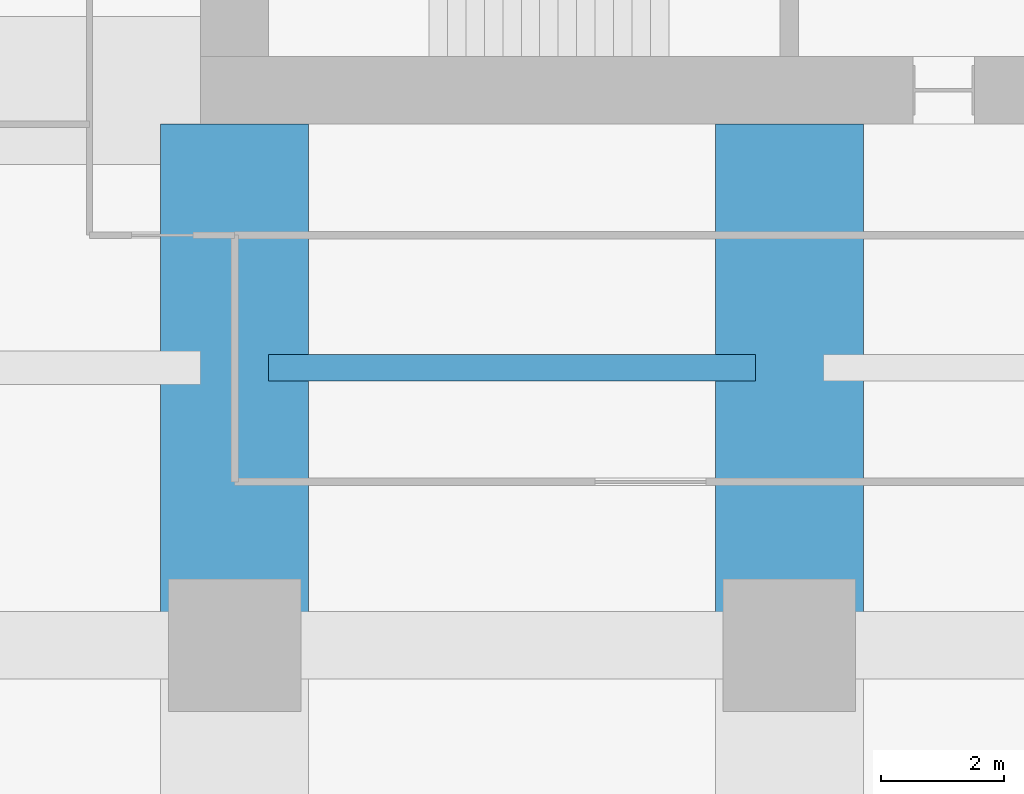
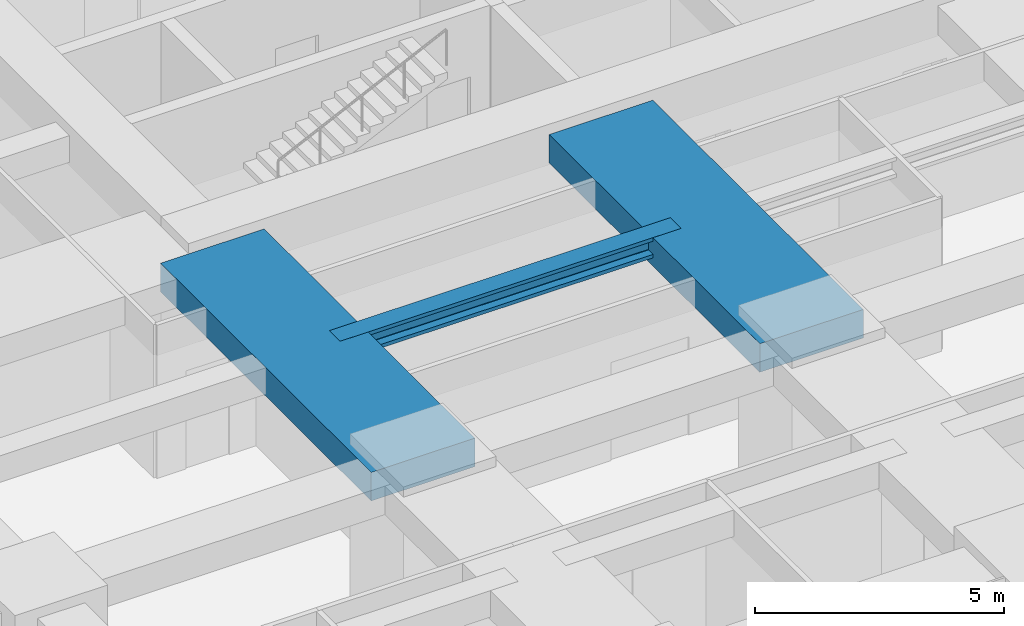
# One storey, part 7 of 45: 3 beams.
"""IFC4 building model written with IfcOpenShell, lengths in metres."""

from ifc_helpers import new_model, si_unit, direction, frame, origin, origin_2d, place, context, subcontext, project, spatial, rectangle, i_section, extrude, material, material_profile, profile_set, type_object, element, save


model = new_model("IFC4")

# Units and contexts
model_context = context("Model", 3, precision=1e-05, world=origin(), true_north=direction((0.0, 1.0)))
body_context = subcontext(model_context, "Body", "Model", "MODEL_VIEW")
ifc_project = project(units=[si_unit("LENGTHUNIT", "METRE"), si_unit("AREAUNIT", "SQUARE_METRE"), si_unit("VOLUMEUNIT", "CUBIC_METRE"), si_unit("PLANEANGLEUNIT", "RADIAN"), si_unit("MASSUNIT", "GRAM", prefix="KILO")], contexts=[model_context])

# Site, building, storey
site_placement = place(None, origin())
site = spatial("IfcSite", under=ifc_project, at=site_placement, CompositionType="ELEMENT")
building_placement = place(site_placement, origin())
building = spatial("IfcBuilding", under=site, at=building_placement, Name="Zorevar Civic Tower", CompositionType="ELEMENT")
storey_placement = place(building_placement, frame((0.0, 0.0, 71.800048828125)))
storey = spatial("IfcBuildingStorey", under=building, at=storey_placement, Name="L17", CompositionType="ELEMENT", Elevation=71.800048828125)

# Beams
ifc_material_1 = material(Name="Concrete C50/60", Category="concrete")
ifc_material_profile_1 = material_profile(ifc_material_1, rectangle(XDim=2.39990234375, YDim=0.699951171875, at=origin_2d()), Name="RC 2400x700")
ifc_profile_set_1 = profile_set([ifc_material_profile_1], Name="Concrete C50/60")
beam_type_1 = type_object("IfcBeamType", Name="Beam RC 2400x700", PredefinedType="BEAM", material=ifc_profile_set_1)
for number, where, z_axis, x_axis, name in (
    (1, (18.0, 9.0, 3.39990234375), (0.0, 1.0, 0.0), (-1.0, 0.0, 0.0), "Girder L18"),
    (2, (27.0, 9.0, 3.39990234375), (0.0, 1.0, 0.0), (-1.0, 0.0, 0.0), "Girder L18"),
):
    element("IfcBeam", number, at=place(storey_placement, frame(where, z_axis=z_axis, x_axis=x_axis)), inside=storey, type_object=beam_type_1, Name=name, PredefinedType="BEAM", context=body_context, shape_type="SweptSolid", body=[
        extrude(rectangle(XDim=2.39990234375, YDim=0.699951171875, at=origin_2d()), origin(), (0.0, 0.0, 1.0), 8.449951171875),
    ])
ifc_material_2 = material(Name="Steel S460M (HISTAR 460)", Category="steel")
ifc_material_profile_2 = material_profile(ifc_material_2, i_section(OverallWidth=0.431884765625, OverallDepth=0.498046875, WebThickness=0.0556640625, FlangeThickness=0.0888671875, FilletRadius=0.014892578125, at=origin_2d()), Name="HD 400x744")
ifc_profile_set_2 = profile_set([ifc_material_profile_2], Name="Steel S460M (HISTAR 460)")
beam_type_2 = type_object("IfcBeamType", Name="Core bay beam HD 400x744", PredefinedType="BEAM", material=ifc_profile_set_2)
beam_placement = place(storey_placement, frame((18.550048828125, 13.5, 3.5009765625), z_axis=(1.0, 0.0, 0.0), x_axis=(0.0, 1.0, 0.0)))
element("IfcBeam", 3, at=beam_placement, inside=storey, type_object=beam_type_2, Name="Secondary beam L18", PredefinedType="BEAM", context=body_context, shape_type="SweptSolid", body=[
    extrude(i_section(OverallWidth=0.431884765625, OverallDepth=0.498046875, WebThickness=0.0556640625, FlangeThickness=0.0888671875, FilletRadius=0.014892578125, at=origin_2d()), origin(), (0.0, 0.0, 1.0), 7.89990234375),
])

save(model, "model.ifc")
